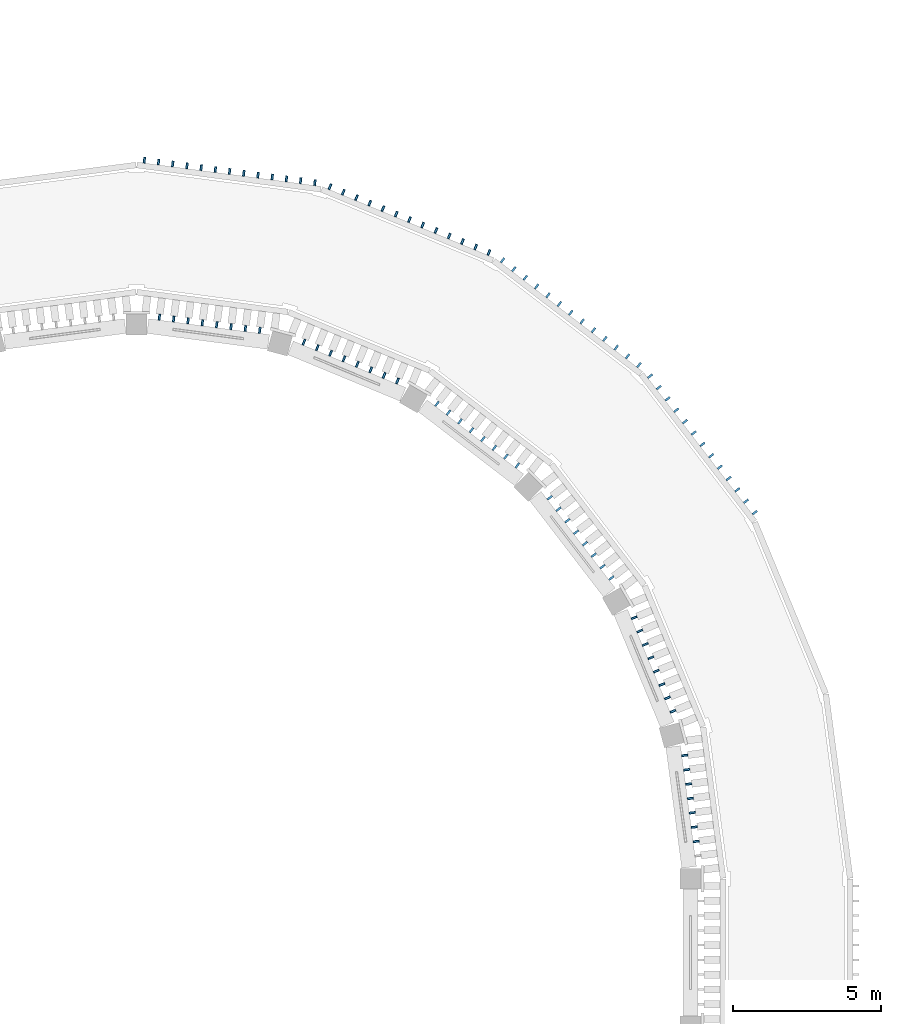
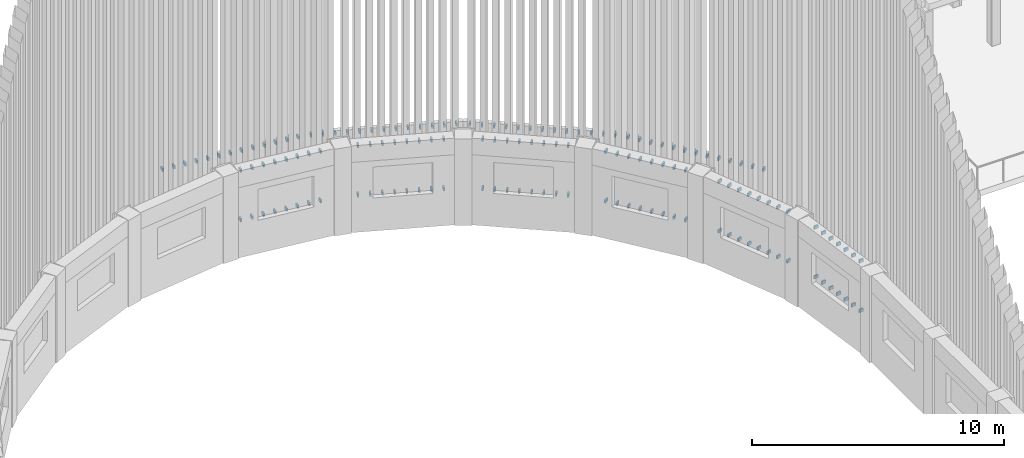
# One storey, part 46 of 68: 146 discrete accessories.
"""IFC4 building model written with IfcOpenShell, lengths in metres."""

from ifc_helpers import new_model, si_unit, direction, frame, origin, origin_2d, place, context, subcontext, project, spatial, rectangle, extrude, material, type_object, element, save


model = new_model("IFC4")

# Units and contexts
model_context = context("Model", 3, precision=1e-05, world=origin(), true_north=direction((0.0, 1.0)))
body_context = subcontext(model_context, "Body", "Model", "MODEL_VIEW")
ifc_project = project(units=[si_unit("LENGTHUNIT", "METRE"), si_unit("AREAUNIT", "SQUARE_METRE"), si_unit("VOLUMEUNIT", "CUBIC_METRE"), si_unit("PLANEANGLEUNIT", "RADIAN"), si_unit("MASSUNIT", "GRAM", prefix="KILO")], contexts=[model_context])

# Site, building, storey
site_placement = place(None, origin())
site = spatial("IfcSite", under=ifc_project, at=site_placement, CompositionType="ELEMENT")
building_placement = place(site_placement, origin())
building = spatial("IfcBuilding", under=site, at=building_placement, Name="Wasatch Bagh Community Centre", CompositionType="ELEMENT")
storey_placement = place(building_placement, frame((0.0, 0.0, 8.39990234375)))
storey = spatial("IfcBuildingStorey", under=building, at=storey_placement, Name="L02", CompositionType="ELEMENT", Elevation=8.39990234375)

# Discrete accessories
ifc_material = material(Name="ASTM A36 steel", Category="steel")
discrete_accessory_type_1 = type_object("IfcDiscreteAccessoryType", Name="Drum fin bracket", PredefinedType="BRACKET", material=ifc_material)
for number, where, z_axis, x_axis, name in (
    (1, (56.923583984375, 77.3876953125, 0.72509765625), (0.0, 0.0, 1.0), (-0.608761429009, 0.793353340291, 0.0), "Fin bracket 21.1.3"),
    (2, (56.62841796875, 77.7724609375, 0.72509765625), (0.0, 0.0, 1.0), (-0.608761429009, 0.793353340291, 0.0), "Fin bracket 21.2.3"),
    (3, (56.333251953125, 78.156982421875, 0.72509765625), (0.0, 0.0, 1.0), (-0.608761429009, 0.793353340291, 0.0), "Fin bracket 21.3.3"),
    (4, (56.037841796875, 78.541748046875, 0.72509765625), (0.0, 0.0, 1.0), (-0.608761429009, 0.793353340291, 0.0), "Fin bracket 21.4.3"),
    (5, (55.74267578125, 78.926513671875, 0.72509765625), (0.0, 0.0, 1.0), (-0.608761429009, 0.793353340291, 0.0), "Fin bracket 21.5.3"),
    (6, (55.447509765625, 79.311279296875, 0.72509765625), (0.0, 0.0, 1.0), (-0.608761429009, 0.793353340291, 0.0), "Fin bracket 21.6.3"),
    (7, (55.15234375, 79.696044921875, 0.72509765625), (0.0, 0.0, 1.0), (-0.608761429009, 0.793353340291, 0.0), "Fin bracket 21.7.3"),
    (8, (54.85693359375, 80.080810546875, 0.72509765625), (0.0, 0.0, 1.0), (-0.608761429009, 0.793353340291, 0.0), "Fin bracket 21.8.3"),
    (9, (54.561767578125, 80.465576171875, 0.72509765625), (0.0, 0.0, 1.0), (-0.608761429009, 0.793353340291, 0.0), "Fin bracket 21.9.3"),
    (10, (54.2666015625, 80.850341796875, 0.72509765625), (0.0, 0.0, 1.0), (-0.608761429009, 0.793353340291, 0.0), "Fin bracket 21.10.3"),
    (11, (53.971435546875, 81.235107421875, 0.72509765625), (0.0, 0.0, 1.0), (-0.608761429009, 0.793353340291, 0.0), "Fin bracket 21.11.3"),
    (12, (53.67626953125, 81.61962890625, 0.72509765625), (0.0, 0.0, 1.0), (-0.608761429009, 0.793353340291, 0.0), "Fin bracket 21.12.3"),
    (13, (53.380859375, 82.00439453125, 0.72509765625), (0.0, 0.0, 1.0), (-0.608761429009, 0.793353340291, 0.0), "Fin bracket 21.13.3"),
    (14, (53.00439453125, 82.380859375, 0.72509765625), (0.0, 0.0, 1.0), (-0.793353340291, 0.608761429009, 0.0), "Fin bracket 22.1.3"),
    (15, (52.61962890625, 82.67626953125, 0.72509765625), (0.0, 0.0, 1.0), (-0.793353340291, 0.608761429009, 0.0), "Fin bracket 22.2.3"),
    (16, (52.235107421875, 82.971435546875, 0.72509765625), (0.0, 0.0, 1.0), (-0.793353340291, 0.608761429009, 0.0), "Fin bracket 22.3.3"),
    (17, (51.850341796875, 83.2666015625, 0.72509765625), (0.0, 0.0, 1.0), (-0.793353340291, 0.608761429009, 0.0), "Fin bracket 22.4.3"),
    (18, (51.465576171875, 83.561767578125, 0.72509765625), (0.0, 0.0, 1.0), (-0.793353340291, 0.608761429009, 0.0), "Fin bracket 22.5.3"),
    (19, (51.080810546875, 83.85693359375, 0.72509765625), (0.0, 0.0, 1.0), (-0.793353340291, 0.608761429009, 0.0), "Fin bracket 22.6.3"),
    (20, (50.696044921875, 84.15234375, 0.72509765625), (0.0, 0.0, 1.0), (-0.793353340291, 0.608761429009, 0.0), "Fin bracket 22.7.3"),
    (21, (50.311279296875, 84.447509765625, 0.72509765625), (0.0, 0.0, 1.0), (-0.793353340291, 0.608761429009, 0.0), "Fin bracket 22.8.3"),
    (22, (49.926513671875, 84.74267578125, 0.72509765625), (0.0, 0.0, 1.0), (-0.793353340291, 0.608761429009, 0.0), "Fin bracket 22.9.3"),
    (23, (49.541748046875, 85.037841796875, 0.72509765625), (0.0, 0.0, 1.0), (-0.793353340291, 0.608761429009, 0.0), "Fin bracket 22.10.3"),
    (24, (49.156982421875, 85.333251953125, 0.72509765625), (0.0, 0.0, 1.0), (-0.793353340291, 0.608761429009, 0.0), "Fin bracket 22.11.3"),
    (25, (48.7724609375, 85.62841796875, 0.72509765625), (0.0, 0.0, 1.0), (-0.793353340291, 0.608761429009, 0.0), "Fin bracket 22.12.3"),
    (26, (48.3876953125, 85.923583984375, 0.72509765625), (0.0, 0.0, 1.0), (-0.793353340291, 0.608761429009, 0.0), "Fin bracket 22.13.3"),
    (27, (47.926513671875, 86.189697265625, 0.72509765625), (0.0, 0.0, 1.0), (-0.923879532511, 0.382683432365, 0.0), "Fin bracket 23.1.3"),
    (28, (47.478515625, 86.375244140625, 0.72509765625), (0.0, 0.0, 1.0), (-0.923879532511, 0.382683432365, 0.0), "Fin bracket 23.2.3"),
    (29, (47.030517578125, 86.56103515625, 0.72509765625), (0.0, 0.0, 1.0), (-0.923879532511, 0.382683432365, 0.0), "Fin bracket 23.3.3"),
    (30, (46.58251953125, 86.74658203125, 0.72509765625), (0.0, 0.0, 1.0), (-0.923879532511, 0.382683432365, 0.0), "Fin bracket 23.4.3"),
    (31, (46.134521484375, 86.93212890625, 0.72509765625), (0.0, 0.0, 1.0), (-0.923879532511, 0.382683432365, 0.0), "Fin bracket 23.5.3"),
    (32, (45.686279296875, 87.11767578125, 0.72509765625), (0.0, 0.0, 1.0), (-0.923879532511, 0.382683432365, 0.0), "Fin bracket 23.6.3"),
    (33, (45.23828125, 87.30322265625, 0.72509765625), (0.0, 0.0, 1.0), (-0.923879532511, 0.382683432365, 0.0), "Fin bracket 23.7.3"),
    (34, (44.790283203125, 87.48876953125, 0.72509765625), (0.0, 0.0, 1.0), (-0.923879532511, 0.382683432365, 0.0), "Fin bracket 23.8.3"),
    (35, (44.34228515625, 87.674560546875, 0.72509765625), (0.0, 0.0, 1.0), (-0.923879532511, 0.382683432365, 0.0), "Fin bracket 23.9.3"),
    (36, (43.894287109375, 87.860107421875, 0.72509765625), (0.0, 0.0, 1.0), (-0.923879532511, 0.382683432365, 0.0), "Fin bracket 23.10.3"),
    (37, (43.446044921875, 88.045654296875, 0.72509765625), (0.0, 0.0, 1.0), (-0.923879532511, 0.382683432365, 0.0), "Fin bracket 23.11.3"),
    (38, (42.998046875, 88.231201171875, 0.72509765625), (0.0, 0.0, 1.0), (-0.923879532511, 0.382683432365, 0.0), "Fin bracket 23.12.3"),
    (39, (42.550048828125, 88.416748046875, 0.72509765625), (0.0, 0.0, 1.0), (-0.923879532511, 0.382683432365, 0.0), "Fin bracket 23.13.3"),
    (40, (42.035888671875, 88.5546875, 0.72509765625), (0.0, 0.0, 1.0), (-0.991444861374, 0.13052619222, 0.0), "Fin bracket 24.1.3"),
    (41, (41.554931640625, 88.617919921875, 0.72509765625), (0.0, 0.0, 1.0), (-0.991444861374, 0.13052619222, 0.0), "Fin bracket 24.2.3"),
    (42, (41.07421875, 88.68115234375, 0.72509765625), (0.0, 0.0, 1.0), (-0.991444861374, 0.13052619222, 0.0), "Fin bracket 24.3.3"),
    (43, (40.593505859375, 88.744384765625, 0.72509765625), (0.0, 0.0, 1.0), (-0.991444861374, 0.13052619222, 0.0), "Fin bracket 24.4.3"),
    (44, (40.112548828125, 88.807861328125, 0.72509765625), (0.0, 0.0, 1.0), (-0.991444861374, 0.13052619222, 0.0), "Fin bracket 24.5.3"),
    (45, (39.6318359375, 88.87109375, 0.72509765625), (0.0, 0.0, 1.0), (-0.991444861374, 0.13052619222, 0.0), "Fin bracket 24.6.3"),
    (46, (39.151123046875, 88.934326171875, 0.72509765625), (0.0, 0.0, 1.0), (-0.991444861374, 0.13052619222, 0.0), "Fin bracket 24.7.3"),
    (47, (38.670166015625, 88.99755859375, 0.72509765625), (0.0, 0.0, 1.0), (-0.991444861374, 0.13052619222, 0.0), "Fin bracket 24.8.3"),
    (48, (38.189453125, 89.06103515625, 0.72509765625), (0.0, 0.0, 1.0), (-0.991444861374, 0.13052619222, 0.0), "Fin bracket 24.9.3"),
    (49, (37.70849609375, 89.124267578125, 0.72509765625), (0.0, 0.0, 1.0), (-0.991444861374, 0.13052619222, 0.0), "Fin bracket 24.10.3"),
    (50, (37.227783203125, 89.1875, 0.72509765625), (0.0, 0.0, 1.0), (-0.991444861374, 0.13052619222, 0.0), "Fin bracket 24.11.3"),
    (51, (36.7470703125, 89.2509765625, 0.72509765625), (0.0, 0.0, 1.0), (-0.991444861374, 0.13052619222, 0.0), "Fin bracket 24.12.3"),
    (52, (36.26611328125, 89.314208984375, 0.72509765625), (0.0, 0.0, 1.0), (-0.991444861374, 0.13052619222, 0.0), "Fin bracket 24.13.3"),
):
    element("IfcDiscreteAccessory", number, at=place(storey_placement, frame(where, z_axis=z_axis, x_axis=x_axis)), inside=storey, type_object=discrete_accessory_type_1, Name=name, PredefinedType="BRACKET", context=body_context, shape_type="SweptSolid", body=[
        extrude(rectangle(XDim=0.070068359375, YDim=0.195068359375, at=origin_2d()), origin(), (0.0, 0.0, 1.0), 0.14990234375),
    ])
discrete_accessory_type_2 = type_object("IfcDiscreteAccessoryType", Name="MH fin bracket", PredefinedType="BRACKET", material=ifc_material)
for number, where, z_axis, x_axis, name in (
    (53, (54.937255859375, 66.2587890625, 1.3251953125), (0.0, 0.0, 1.0), (-0.13052619222, 0.991444861374, 0.0), "Fin bracket 19.3.1"),
    (54, (54.937255859375, 66.2587890625, 3.72509765625), (0.0, 0.0, 1.0), (-0.13052619222, 0.991444861374, 0.0), "Fin bracket 19.3.2"),
    (55, (54.873291015625, 66.744140625, 1.3251953125), (0.0, 0.0, 1.0), (-0.13052619222, 0.991444861374, 0.0), "Fin bracket 19.4.1"),
    (56, (54.873291015625, 66.744140625, 3.72509765625), (0.0, 0.0, 1.0), (-0.13052619222, 0.991444861374, 0.0), "Fin bracket 19.4.2"),
    (57, (54.8095703125, 67.2294921875, 1.3251953125), (0.0, 0.0, 1.0), (-0.13052619222, 0.991444861374, 0.0), "Fin bracket 19.5.1"),
    (58, (54.8095703125, 67.2294921875, 3.72509765625), (0.0, 0.0, 1.0), (-0.13052619222, 0.991444861374, 0.0), "Fin bracket 19.5.2"),
    (59, (54.74560546875, 67.71484375, 1.3251953125), (0.0, 0.0, 1.0), (-0.13052619222, 0.991444861374, 0.0), "Fin bracket 19.6.1"),
    (60, (54.74560546875, 67.71484375, 3.72509765625), (0.0, 0.0, 1.0), (-0.13052619222, 0.991444861374, 0.0), "Fin bracket 19.6.2"),
    (61, (54.681640625, 68.199951171875, 1.3251953125), (0.0, 0.0, 1.0), (-0.13052619222, 0.991444861374, 0.0), "Fin bracket 19.7.1"),
    (62, (54.681640625, 68.199951171875, 3.72509765625), (0.0, 0.0, 1.0), (-0.13052619222, 0.991444861374, 0.0), "Fin bracket 19.7.2"),
    (63, (54.617919921875, 68.685302734375, 1.3251953125), (0.0, 0.0, 1.0), (-0.13052619222, 0.991444861374, 0.0), "Fin bracket 19.8.1"),
    (64, (54.617919921875, 68.685302734375, 3.72509765625), (0.0, 0.0, 1.0), (-0.13052619222, 0.991444861374, 0.0), "Fin bracket 19.8.2"),
    (65, (54.553955078125, 69.170654296875, 1.3251953125), (0.0, 0.0, 1.0), (-0.13052619222, 0.991444861374, 0.0), "Fin bracket 19.9.1"),
    (66, (54.553955078125, 69.170654296875, 3.72509765625), (0.0, 0.0, 1.0), (-0.13052619222, 0.991444861374, 0.0), "Fin bracket 19.9.2"),
    (67, (54.153564453125, 70.6650390625, 1.3251953125), (0.0, 0.0, 1.0), (-0.382683432365, 0.923879532511, 0.0), "Fin bracket 20.2.1"),
    (68, (54.153564453125, 70.6650390625, 3.72509765625), (0.0, 0.0, 1.0), (-0.382683432365, 0.923879532511, 0.0), "Fin bracket 20.2.2"),
    (69, (53.966064453125, 71.117431640625, 1.3251953125), (0.0, 0.0, 1.0), (-0.382683432365, 0.923879532511, 0.0), "Fin bracket 20.3.1"),
    (70, (53.966064453125, 71.117431640625, 3.72509765625), (0.0, 0.0, 1.0), (-0.382683432365, 0.923879532511, 0.0), "Fin bracket 20.3.2"),
    (71, (53.77880859375, 71.569580078125, 1.3251953125), (0.0, 0.0, 1.0), (-0.382683432365, 0.923879532511, 0.0), "Fin bracket 20.4.1"),
    (72, (53.77880859375, 71.569580078125, 3.72509765625), (0.0, 0.0, 1.0), (-0.382683432365, 0.923879532511, 0.0), "Fin bracket 20.4.2"),
    (73, (53.591552734375, 72.021728515625, 1.3251953125), (0.0, 0.0, 1.0), (-0.382683432365, 0.923879532511, 0.0), "Fin bracket 20.5.1"),
    (74, (53.591552734375, 72.021728515625, 3.72509765625), (0.0, 0.0, 1.0), (-0.382683432365, 0.923879532511, 0.0), "Fin bracket 20.5.2"),
    (75, (53.404296875, 72.473876953125, 1.3251953125), (0.0, 0.0, 1.0), (-0.382683432365, 0.923879532511, 0.0), "Fin bracket 20.6.1"),
    (76, (53.404296875, 72.473876953125, 3.72509765625), (0.0, 0.0, 1.0), (-0.382683432365, 0.923879532511, 0.0), "Fin bracket 20.6.2"),
    (77, (53.217041015625, 72.92626953125, 1.3251953125), (0.0, 0.0, 1.0), (-0.382683432365, 0.923879532511, 0.0), "Fin bracket 20.7.1"),
    (78, (53.217041015625, 72.92626953125, 3.72509765625), (0.0, 0.0, 1.0), (-0.382683432365, 0.923879532511, 0.0), "Fin bracket 20.7.2"),
    (79, (53.029541015625, 73.37841796875, 1.3251953125), (0.0, 0.0, 1.0), (-0.382683432365, 0.923879532511, 0.0), "Fin bracket 20.8.1"),
    (80, (53.029541015625, 73.37841796875, 3.72509765625), (0.0, 0.0, 1.0), (-0.382683432365, 0.923879532511, 0.0), "Fin bracket 20.8.2"),
    (81, (52.84228515625, 73.83056640625, 1.3251953125), (0.0, 0.0, 1.0), (-0.382683432365, 0.923879532511, 0.0), "Fin bracket 20.9.1"),
    (82, (52.84228515625, 73.83056640625, 3.72509765625), (0.0, 0.0, 1.0), (-0.382683432365, 0.923879532511, 0.0), "Fin bracket 20.9.2"),
    (83, (52.068603515625, 75.170654296875, 1.3251953125), (0.0, 0.0, 1.0), (-0.608761429009, 0.793353340291, 0.0), "Fin bracket 21.2.1"),
    (84, (52.068603515625, 75.170654296875, 3.72509765625), (0.0, 0.0, 1.0), (-0.608761429009, 0.793353340291, 0.0), "Fin bracket 21.2.2"),
    (85, (51.770751953125, 75.558837890625, 1.3251953125), (0.0, 0.0, 1.0), (-0.608761429009, 0.793353340291, 0.0), "Fin bracket 21.3.1"),
    (86, (51.770751953125, 75.558837890625, 3.72509765625), (0.0, 0.0, 1.0), (-0.608761429009, 0.793353340291, 0.0), "Fin bracket 21.3.2"),
    (87, (51.47265625, 75.947265625, 1.3251953125), (0.0, 0.0, 1.0), (-0.608761429009, 0.793353340291, 0.0), "Fin bracket 21.4.1"),
    (88, (51.47265625, 75.947265625, 3.72509765625), (0.0, 0.0, 1.0), (-0.608761429009, 0.793353340291, 0.0), "Fin bracket 21.4.2"),
    (89, (51.1748046875, 76.33544921875, 1.3251953125), (0.0, 0.0, 1.0), (-0.608761429009, 0.793353340291, 0.0), "Fin bracket 21.5.1"),
    (90, (51.1748046875, 76.33544921875, 3.72509765625), (0.0, 0.0, 1.0), (-0.608761429009, 0.793353340291, 0.0), "Fin bracket 21.5.2"),
    (91, (50.876708984375, 76.723876953125, 1.3251953125), (0.0, 0.0, 1.0), (-0.608761429009, 0.793353340291, 0.0), "Fin bracket 21.6.1"),
    (92, (50.876708984375, 76.723876953125, 3.72509765625), (0.0, 0.0, 1.0), (-0.608761429009, 0.793353340291, 0.0), "Fin bracket 21.6.2"),
    (93, (50.578857421875, 77.112060546875, 1.3251953125), (0.0, 0.0, 1.0), (-0.608761429009, 0.793353340291, 0.0), "Fin bracket 21.7.1"),
    (94, (50.578857421875, 77.112060546875, 3.72509765625), (0.0, 0.0, 1.0), (-0.608761429009, 0.793353340291, 0.0), "Fin bracket 21.7.2"),
    (95, (50.28076171875, 77.50048828125, 1.3251953125), (0.0, 0.0, 1.0), (-0.608761429009, 0.793353340291, 0.0), "Fin bracket 21.8.1"),
    (96, (50.28076171875, 77.50048828125, 3.72509765625), (0.0, 0.0, 1.0), (-0.608761429009, 0.793353340291, 0.0), "Fin bracket 21.8.2"),
    (97, (49.98291015625, 77.888916015625, 1.3251953125), (0.0, 0.0, 1.0), (-0.608761429009, 0.793353340291, 0.0), "Fin bracket 21.9.1"),
    (98, (49.98291015625, 77.888916015625, 3.72509765625), (0.0, 0.0, 1.0), (-0.608761429009, 0.793353340291, 0.0), "Fin bracket 21.9.2"),
    (99, (48.888916015625, 78.98291015625, 1.3251953125), (0.0, 0.0, 1.0), (-0.793353340291, 0.608761429009, 0.0), "Fin bracket 22.2.1"),
    (100, (48.888916015625, 78.98291015625, 3.72509765625), (0.0, 0.0, 1.0), (-0.793353340291, 0.608761429009, 0.0), "Fin bracket 22.2.2"),
    (101, (48.50048828125, 79.28076171875, 1.3251953125), (0.0, 0.0, 1.0), (-0.793353340291, 0.608761429009, 0.0), "Fin bracket 22.3.1"),
    (102, (48.50048828125, 79.28076171875, 3.72509765625), (0.0, 0.0, 1.0), (-0.793353340291, 0.608761429009, 0.0), "Fin bracket 22.3.2"),
    (103, (48.112060546875, 79.578857421875, 1.3251953125), (0.0, 0.0, 1.0), (-0.793353340291, 0.608761429009, 0.0), "Fin bracket 22.4.1"),
    (104, (48.112060546875, 79.578857421875, 3.72509765625), (0.0, 0.0, 1.0), (-0.793353340291, 0.608761429009, 0.0), "Fin bracket 22.4.2"),
    (105, (47.723876953125, 79.876708984375, 1.3251953125), (0.0, 0.0, 1.0), (-0.793353340291, 0.608761429009, 0.0), "Fin bracket 22.5.1"),
    (106, (47.723876953125, 79.876708984375, 3.72509765625), (0.0, 0.0, 1.0), (-0.793353340291, 0.608761429009, 0.0), "Fin bracket 22.5.2"),
    (107, (47.33544921875, 80.1748046875, 1.3251953125), (0.0, 0.0, 1.0), (-0.793353340291, 0.608761429009, 0.0), "Fin bracket 22.6.1"),
    (108, (47.33544921875, 80.1748046875, 3.72509765625), (0.0, 0.0, 1.0), (-0.793353340291, 0.608761429009, 0.0), "Fin bracket 22.6.2"),
    (109, (46.947265625, 80.47265625, 1.3251953125), (0.0, 0.0, 1.0), (-0.793353340291, 0.608761429009, 0.0), "Fin bracket 22.7.1"),
    (110, (46.947265625, 80.47265625, 3.72509765625), (0.0, 0.0, 1.0), (-0.793353340291, 0.608761429009, 0.0), "Fin bracket 22.7.2"),
    (111, (46.558837890625, 80.770751953125, 1.3251953125), (0.0, 0.0, 1.0), (-0.793353340291, 0.608761429009, 0.0), "Fin bracket 22.8.1"),
    (112, (46.558837890625, 80.770751953125, 3.72509765625), (0.0, 0.0, 1.0), (-0.793353340291, 0.608761429009, 0.0), "Fin bracket 22.8.2"),
    (113, (46.170654296875, 81.068603515625, 1.3251953125), (0.0, 0.0, 1.0), (-0.793353340291, 0.608761429009, 0.0), "Fin bracket 22.9.1"),
    (114, (46.170654296875, 81.068603515625, 3.72509765625), (0.0, 0.0, 1.0), (-0.793353340291, 0.608761429009, 0.0), "Fin bracket 22.9.2"),
    (115, (44.83056640625, 81.84228515625, 1.3251953125), (0.0, 0.0, 1.0), (-0.923879532511, 0.382683432365, 0.0), "Fin bracket 23.2.1"),
    (116, (44.83056640625, 81.84228515625, 3.72509765625), (0.0, 0.0, 1.0), (-0.923879532511, 0.382683432365, 0.0), "Fin bracket 23.2.2"),
    (117, (44.37841796875, 82.029541015625, 1.3251953125), (0.0, 0.0, 1.0), (-0.923879532511, 0.382683432365, 0.0), "Fin bracket 23.3.1"),
    (118, (44.37841796875, 82.029541015625, 3.72509765625), (0.0, 0.0, 1.0), (-0.923879532511, 0.382683432365, 0.0), "Fin bracket 23.3.2"),
    (119, (43.92626953125, 82.217041015625, 1.3251953125), (0.0, 0.0, 1.0), (-0.923879532511, 0.382683432365, 0.0), "Fin bracket 23.4.1"),
    (120, (43.92626953125, 82.217041015625, 3.72509765625), (0.0, 0.0, 1.0), (-0.923879532511, 0.382683432365, 0.0), "Fin bracket 23.4.2"),
    (121, (43.473876953125, 82.404296875, 1.3251953125), (0.0, 0.0, 1.0), (-0.923879532511, 0.382683432365, 0.0), "Fin bracket 23.5.1"),
    (122, (43.473876953125, 82.404296875, 3.72509765625), (0.0, 0.0, 1.0), (-0.923879532511, 0.382683432365, 0.0), "Fin bracket 23.5.2"),
    (123, (43.021728515625, 82.591552734375, 1.3251953125), (0.0, 0.0, 1.0), (-0.923879532511, 0.382683432365, 0.0), "Fin bracket 23.6.1"),
    (124, (43.021728515625, 82.591552734375, 3.72509765625), (0.0, 0.0, 1.0), (-0.923879532511, 0.382683432365, 0.0), "Fin bracket 23.6.2"),
    (125, (42.569580078125, 82.77880859375, 1.3251953125), (0.0, 0.0, 1.0), (-0.923879532511, 0.382683432365, 0.0), "Fin bracket 23.7.1"),
    (126, (42.569580078125, 82.77880859375, 3.72509765625), (0.0, 0.0, 1.0), (-0.923879532511, 0.382683432365, 0.0), "Fin bracket 23.7.2"),
    (127, (42.117431640625, 82.966064453125, 1.3251953125), (0.0, 0.0, 1.0), (-0.923879532511, 0.382683432365, 0.0), "Fin bracket 23.8.1"),
    (128, (42.117431640625, 82.966064453125, 3.72509765625), (0.0, 0.0, 1.0), (-0.923879532511, 0.382683432365, 0.0), "Fin bracket 23.8.2"),
    (129, (41.6650390625, 83.153564453125, 1.3251953125), (0.0, 0.0, 1.0), (-0.923879532511, 0.382683432365, 0.0), "Fin bracket 23.9.1"),
    (130, (41.6650390625, 83.153564453125, 3.72509765625), (0.0, 0.0, 1.0), (-0.923879532511, 0.382683432365, 0.0), "Fin bracket 23.9.2"),
    (131, (40.170654296875, 83.553955078125, 1.3251953125), (0.0, 0.0, 1.0), (-0.991444861374, 0.13052619222, 0.0), "Fin bracket 24.2.1"),
    (132, (40.170654296875, 83.553955078125, 3.72509765625), (0.0, 0.0, 1.0), (-0.991444861374, 0.13052619222, 0.0), "Fin bracket 24.2.2"),
    (133, (39.685302734375, 83.617919921875, 1.3251953125), (0.0, 0.0, 1.0), (-0.991444861374, 0.13052619222, 0.0), "Fin bracket 24.3.1"),
    (134, (39.685302734375, 83.617919921875, 3.72509765625), (0.0, 0.0, 1.0), (-0.991444861374, 0.13052619222, 0.0), "Fin bracket 24.3.2"),
    (135, (39.199951171875, 83.681640625, 1.3251953125), (0.0, 0.0, 1.0), (-0.991444861374, 0.13052619222, 0.0), "Fin bracket 24.4.1"),
    (136, (39.199951171875, 83.681640625, 3.72509765625), (0.0, 0.0, 1.0), (-0.991444861374, 0.13052619222, 0.0), "Fin bracket 24.4.2"),
    (137, (38.71484375, 83.74560546875, 1.3251953125), (0.0, 0.0, 1.0), (-0.991444861374, 0.13052619222, 0.0), "Fin bracket 24.5.1"),
    (138, (38.71484375, 83.74560546875, 3.72509765625), (0.0, 0.0, 1.0), (-0.991444861374, 0.13052619222, 0.0), "Fin bracket 24.5.2"),
    (139, (38.2294921875, 83.8095703125, 1.3251953125), (0.0, 0.0, 1.0), (-0.991444861374, 0.13052619222, 0.0), "Fin bracket 24.6.1"),
    (140, (38.2294921875, 83.8095703125, 3.72509765625), (0.0, 0.0, 1.0), (-0.991444861374, 0.13052619222, 0.0), "Fin bracket 24.6.2"),
    (141, (37.744140625, 83.873291015625, 1.3251953125), (0.0, 0.0, 1.0), (-0.991444861374, 0.13052619222, 0.0), "Fin bracket 24.7.1"),
    (142, (37.744140625, 83.873291015625, 3.72509765625), (0.0, 0.0, 1.0), (-0.991444861374, 0.13052619222, 0.0), "Fin bracket 24.7.2"),
    (143, (37.2587890625, 83.937255859375, 1.3251953125), (0.0, 0.0, 1.0), (-0.991444861374, 0.13052619222, 0.0), "Fin bracket 24.8.1"),
    (144, (37.2587890625, 83.937255859375, 3.72509765625), (0.0, 0.0, 1.0), (-0.991444861374, 0.13052619222, 0.0), "Fin bracket 24.8.2"),
    (145, (36.773681640625, 84.001220703125, 1.3251953125), (0.0, 0.0, 1.0), (-0.991444861374, 0.13052619222, 0.0), "Fin bracket 24.9.1"),
    (146, (36.773681640625, 84.001220703125, 3.72509765625), (0.0, 0.0, 1.0), (-0.991444861374, 0.13052619222, 0.0), "Fin bracket 24.9.2"),
):
    element("IfcDiscreteAccessory", number, at=place(storey_placement, frame(where, z_axis=z_axis, x_axis=x_axis)), inside=storey, type_object=discrete_accessory_type_2, Name=name, PredefinedType="BRACKET", context=body_context, shape_type="SweptSolid", body=[
        extrude(rectangle(XDim=0.070068359375, YDim=0.199951171875, at=origin_2d()), origin(), (0.0, 0.0, 1.0), 0.14990234375),
    ])

save(model, "model.ifc")
